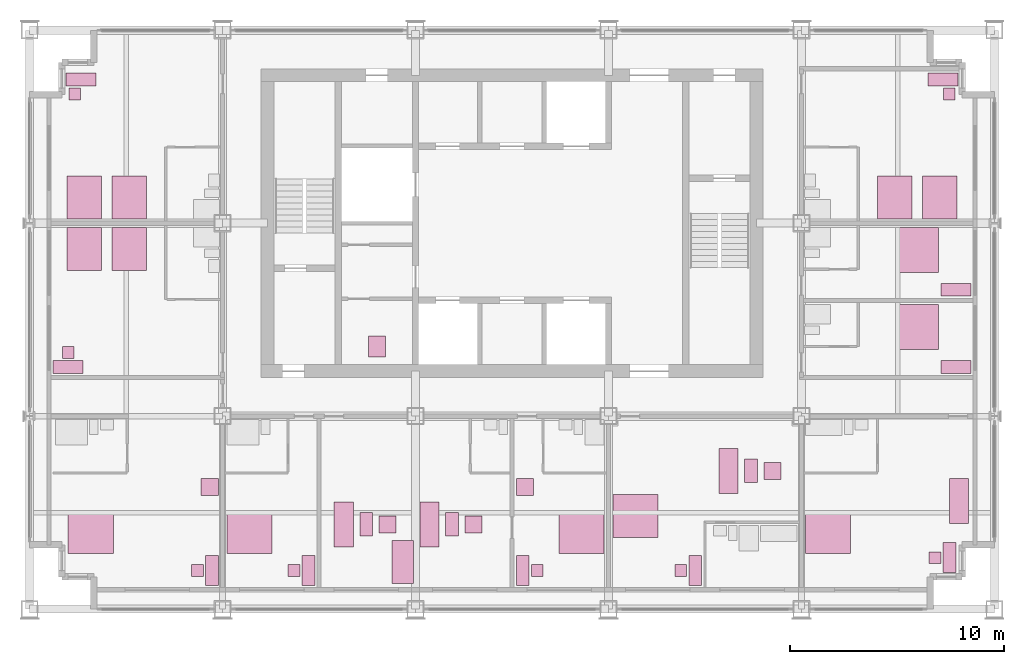
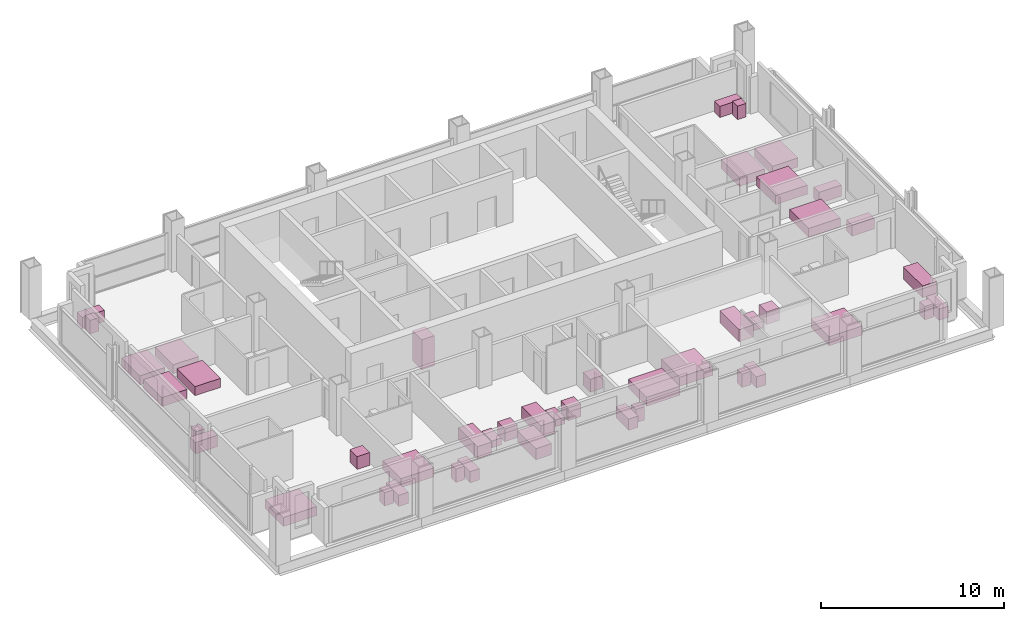
# One storey, part 13 of 13: 45 furniture elements.
"""IFC4 building model written with IfcOpenShell, lengths in metres."""

from ifc_helpers import new_model, si_unit, direction, frame, origin, origin_2d, place, context, subcontext, project, spatial, rectangle, extrude, element, save


model = new_model("IFC4")

# Units and contexts
model_context = context("Model", 3, precision=1e-05, world=origin(), true_north=direction((0.0, 1.0)))
body_context = subcontext(model_context, "Body", "Model", "MODEL_VIEW")
ifc_project = project(units=[si_unit("LENGTHUNIT", "METRE"), si_unit("AREAUNIT", "SQUARE_METRE"), si_unit("VOLUMEUNIT", "CUBIC_METRE"), si_unit("PLANEANGLEUNIT", "RADIAN"), si_unit("MASSUNIT", "GRAM", prefix="KILO")], contexts=[model_context])

# Site, building, storey
site_placement = place(None, origin())
site = spatial("IfcSite", under=ifc_project, at=site_placement, CompositionType="ELEMENT")
building_placement = place(site_placement, origin())
building = spatial("IfcBuilding", under=site, at=building_placement, Name="Loomwork Tower", CompositionType="ELEMENT")
storey_placement = place(building_placement, frame((0.0, 0.0, 194.39990234375)))
storey = spatial("IfcBuildingStorey", under=building, at=storey_placement, Name="L53", CompositionType="ELEMENT", Elevation=194.39990234375)

# Furniture
furniture_1_placement = place(storey_placement, frame((2.85009765625, 3.60009765625, 0.0), z_axis=(0.0, 0.0, 1.0), x_axis=(1.0, 0.0, 0.0)))
element("IfcFurniture", 1, at=furniture_1_placement, inside=storey, Name="King bed L53", PredefinedType="BED", context=body_context, shape_type="SweptSolid", body=[
    extrude(rectangle(XDim=2.10009765625, YDim=2.0, at=origin_2d()), origin(), (0.0, 0.0, 1.0), 0.60009765625),
])
furniture_2_placement = place(storey_placement, frame((8.5, 1.800048828125, 0.0), z_axis=(0.0, 0.0, 1.0), x_axis=(1.0, 0.0, 0.0)))
element("IfcFurniture", 2, at=furniture_2_placement, inside=storey, Name="Writing desk L53", PredefinedType="DESK", context=body_context, shape_type="SweptSolid", body=[
    extrude(rectangle(XDim=0.60009765625, YDim=1.39990234375, at=origin_2d()), origin(), (0.0, 0.0, 1.0), 0.75),
])
furniture_3_placement = place(storey_placement, frame((7.824951171875, 1.800048828125, 0.000244140625), z_axis=(0.0, 0.0, 1.0), x_axis=(1.0, 0.0, 0.0)))
element("IfcFurniture", 3, at=furniture_3_placement, inside=storey, Name="Desk chair L53", PredefinedType="CHAIR", context=body_context, shape_type="SweptSolid", body=[
    extrude(rectangle(XDim=0.550048828125, YDim=0.550048828125, at=origin_2d()), origin(), (0.0, 0.0, 1.0), 0.89990234375),
])
furniture_4_placement = place(storey_placement, frame((8.39990234375, 5.699951171875, 0.0), z_axis=(0.0, 0.0, 1.0), x_axis=(1.0, 0.0, 0.0)))
element("IfcFurniture", 4, at=furniture_4_placement, inside=storey, Name="Lounge armchair L53", PredefinedType="CHAIR", context=body_context, shape_type="SweptSolid", body=[
    extrude(rectangle(XDim=0.800048828125, YDim=0.800048828125, at=origin_2d()), origin(), (0.0, 0.0, 1.0), 0.85009765625),
])
furniture_5_placement = place(storey_placement, frame((10.25, 3.60009765625, 0.0), z_axis=(0.0, 0.0, 1.0), x_axis=(1.0, 0.0, 0.0)))
element("IfcFurniture", 5, at=furniture_5_placement, inside=storey, Name="King bed L53", PredefinedType="BED", context=body_context, shape_type="SweptSolid", body=[
    extrude(rectangle(XDim=2.10009765625, YDim=2.0, at=origin_2d()), origin(), (0.0, 0.0, 1.0), 0.60009765625),
])
furniture_6_placement = place(storey_placement, frame((13.0, 1.800048828125, 0.0), z_axis=(0.0, 0.0, 1.0), x_axis=(1.0, 0.0, 0.0)))
element("IfcFurniture", 6, at=furniture_6_placement, inside=storey, Name="Writing desk L53", PredefinedType="DESK", context=body_context, shape_type="SweptSolid", body=[
    extrude(rectangle(XDim=0.60009765625, YDim=1.39990234375, at=origin_2d()), origin(), (0.0, 0.0, 1.0), 0.75),
])
furniture_7_placement = place(storey_placement, frame((12.324951171875, 1.800048828125, 0.000244140625), z_axis=(0.0, 0.0, 1.0), x_axis=(1.0, 0.0, 0.0)))
element("IfcFurniture", 7, at=furniture_7_placement, inside=storey, Name="Desk chair L53", PredefinedType="CHAIR", context=body_context, shape_type="SweptSolid", body=[
    extrude(rectangle(XDim=0.550048828125, YDim=0.550048828125, at=origin_2d()), origin(), (0.0, 0.0, 1.0), 0.89990234375),
])
furniture_8_placement = place(storey_placement, frame((14.64990234375, 3.949951171875, 0.0), z_axis=(0.0, 0.0, 1.0), x_axis=(1.0, 0.0, 0.0)))
element("IfcFurniture", 8, at=furniture_8_placement, inside=storey, Name="Sofa L53", PredefinedType="SOFA", context=body_context, shape_type="SweptSolid", body=[
    extrude(rectangle(XDim=0.89990234375, YDim=2.10009765625, at=origin_2d()), origin(), (0.0, 0.0, 1.0), 0.800048828125),
])
furniture_9_placement = place(storey_placement, frame((15.699951171875, 3.949951171875, 0.0), z_axis=(0.0, 0.0, 1.0), x_axis=(1.0, 0.0, 0.0)))
element("IfcFurniture", 9, at=furniture_9_placement, inside=storey, Name="Coffee table L53", PredefinedType="TABLE", context=body_context, shape_type="SweptSolid", body=[
    extrude(rectangle(XDim=0.60009765625, YDim=1.10009765625, at=origin_2d()), origin(), (0.0, 0.0, 1.0), 0.449951171875),
])
furniture_10_placement = place(storey_placement, frame((16.699951171875, 3.949951171875, 0.0), z_axis=(0.0, 0.0, 1.0), x_axis=(1.0, 0.0, 0.0)))
element("IfcFurniture", 10, at=furniture_10_placement, inside=storey, Name="Lounge armchair L53", PredefinedType="CHAIR", context=body_context, shape_type="SweptSolid", body=[
    extrude(rectangle(XDim=0.800048828125, YDim=0.800048828125, at=origin_2d()), origin(), (0.0, 0.0, 1.0), 0.85009765625),
])
furniture_11_placement = place(storey_placement, frame((18.64990234375, 3.949951171875, 0.0), z_axis=(0.0, 0.0, 1.0), x_axis=(1.0, 0.0, 0.0)))
element("IfcFurniture", 11, at=furniture_11_placement, inside=storey, Name="Sofa L53", PredefinedType="SOFA", context=body_context, shape_type="SweptSolid", body=[
    extrude(rectangle(XDim=0.89990234375, YDim=2.10009765625, at=origin_2d()), origin(), (0.0, 0.0, 1.0), 0.800048828125),
])
furniture_12_placement = place(storey_placement, frame((19.699951171875, 3.949951171875, 0.0), z_axis=(0.0, 0.0, 1.0), x_axis=(1.0, 0.0, 0.0)))
element("IfcFurniture", 12, at=furniture_12_placement, inside=storey, Name="Coffee table L53", PredefinedType="TABLE", context=body_context, shape_type="SweptSolid", body=[
    extrude(rectangle(XDim=0.60009765625, YDim=1.10009765625, at=origin_2d()), origin(), (0.0, 0.0, 1.0), 0.449951171875),
])
furniture_13_placement = place(storey_placement, frame((20.699951171875, 3.949951171875, 0.0), z_axis=(0.0, 0.0, 1.0), x_axis=(1.0, 0.0, 0.0)))
element("IfcFurniture", 13, at=furniture_13_placement, inside=storey, Name="Lounge armchair L53", PredefinedType="CHAIR", context=body_context, shape_type="SweptSolid", body=[
    extrude(rectangle(XDim=0.800048828125, YDim=0.800048828125, at=origin_2d()), origin(), (0.0, 0.0, 1.0), 0.85009765625),
])
furniture_14_placement = place(storey_placement, frame((17.39990234375, 2.199951171875, 0.0), z_axis=(0.0, 0.0, 1.0), x_axis=(1.0, 0.0, 0.0)))
element("IfcFurniture", 14, at=furniture_14_placement, inside=storey, Name="Dining table L53", PredefinedType="TABLE", context=body_context, shape_type="SweptSolid", body=[
    extrude(rectangle(XDim=1.0, YDim=2.0, at=origin_2d()), origin(), (0.0, 0.0, 1.0), 0.75),
])
furniture_15_placement = place(storey_placement, frame((25.75, 3.60009765625, 0.0), z_axis=(0.0, 0.0, 1.0), x_axis=(1.0, 0.0, 0.0)))
element("IfcFurniture", 15, at=furniture_15_placement, inside=storey, Name="King bed L53", PredefinedType="BED", context=body_context, shape_type="SweptSolid", body=[
    extrude(rectangle(XDim=2.10009765625, YDim=2.0, at=origin_2d()), origin(), (0.0, 0.0, 1.0), 0.60009765625),
])
furniture_16_placement = place(storey_placement, frame((23.0, 1.800048828125, 0.0), z_axis=(0.0, 0.0, 1.0), x_axis=(1.0, 0.0, 0.0)))
element("IfcFurniture", 16, at=furniture_16_placement, inside=storey, Name="Writing desk L53", PredefinedType="DESK", context=body_context, shape_type="SweptSolid", body=[
    extrude(rectangle(XDim=0.60009765625, YDim=1.39990234375, at=origin_2d()), origin(), (0.0, 0.0, 1.0), 0.75),
])
furniture_17_placement = place(storey_placement, frame((23.675048828125, 1.800048828125, 0.000244140625), z_axis=(0.0, 0.0, 1.0), x_axis=(1.0, 0.0, 0.0)))
element("IfcFurniture", 17, at=furniture_17_placement, inside=storey, Name="Desk chair L53", PredefinedType="CHAIR", context=body_context, shape_type="SweptSolid", body=[
    extrude(rectangle(XDim=0.550048828125, YDim=0.550048828125, at=origin_2d()), origin(), (0.0, 0.0, 1.0), 0.89990234375),
])
furniture_18_placement = place(storey_placement, frame((23.10009765625, 5.699951171875, 0.0), z_axis=(0.0, 0.0, 1.0), x_axis=(1.0, 0.0, 0.0)))
element("IfcFurniture", 18, at=furniture_18_placement, inside=storey, Name="Lounge armchair L53", PredefinedType="CHAIR", context=body_context, shape_type="SweptSolid", body=[
    extrude(rectangle(XDim=0.800048828125, YDim=0.800048828125, at=origin_2d()), origin(), (0.0, 0.0, 1.0), 0.85009765625),
])
furniture_19_placement = place(storey_placement, frame((28.25, 4.35009765625, 0.0), z_axis=(0.0, 0.0, 1.0), x_axis=(1.0, 0.0, 0.0)))
element("IfcFurniture", 19, at=furniture_19_placement, inside=storey, Name="King bed L53", PredefinedType="BED", context=body_context, shape_type="SweptSolid", body=[
    extrude(rectangle(XDim=2.10009765625, YDim=2.0, at=origin_2d()), origin(), (0.0, 0.0, 1.0), 0.60009765625),
])
furniture_20_placement = place(storey_placement, frame((31.050048828125, 1.800048828125, 0.0), z_axis=(0.0, 0.0, 1.0), x_axis=(1.0, 0.0, 0.0)))
element("IfcFurniture", 20, at=furniture_20_placement, inside=storey, Name="Writing desk L53", PredefinedType="DESK", context=body_context, shape_type="SweptSolid", body=[
    extrude(rectangle(XDim=0.60009765625, YDim=1.39990234375, at=origin_2d()), origin(), (0.0, 0.0, 1.0), 0.75),
])
furniture_21_placement = place(storey_placement, frame((30.375, 1.800048828125, 0.000244140625), z_axis=(0.0, 0.0, 1.0), x_axis=(1.0, 0.0, 0.0)))
element("IfcFurniture", 21, at=furniture_21_placement, inside=storey, Name="Desk chair L53", PredefinedType="CHAIR", context=body_context, shape_type="SweptSolid", body=[
    extrude(rectangle(XDim=0.550048828125, YDim=0.550048828125, at=origin_2d()), origin(), (0.0, 0.0, 1.0), 0.89990234375),
])
furniture_22_placement = place(storey_placement, frame((32.60009765625, 6.449951171875, 0.0), z_axis=(0.0, 0.0, 1.0), x_axis=(1.0, 0.0, 0.0)))
element("IfcFurniture", 22, at=furniture_22_placement, inside=storey, Name="Sofa L53", PredefinedType="SOFA", context=body_context, shape_type="SweptSolid", body=[
    extrude(rectangle(XDim=0.89990234375, YDim=2.10009765625, at=origin_2d()), origin(), (0.0, 0.0, 1.0), 0.800048828125),
])
furniture_23_placement = place(storey_placement, frame((33.64990234375, 6.449951171875, 0.0), z_axis=(0.0, 0.0, 1.0), x_axis=(1.0, 0.0, 0.0)))
element("IfcFurniture", 23, at=furniture_23_placement, inside=storey, Name="Coffee table L53", PredefinedType="TABLE", context=body_context, shape_type="SweptSolid", body=[
    extrude(rectangle(XDim=0.60009765625, YDim=1.10009765625, at=origin_2d()), origin(), (0.0, 0.0, 1.0), 0.449951171875),
])
furniture_24_placement = place(storey_placement, frame((34.64990234375, 6.449951171875, 0.0), z_axis=(0.0, 0.0, 1.0), x_axis=(1.0, 0.0, 0.0)))
element("IfcFurniture", 24, at=furniture_24_placement, inside=storey, Name="Lounge armchair L53", PredefinedType="CHAIR", context=body_context, shape_type="SweptSolid", body=[
    extrude(rectangle(XDim=0.800048828125, YDim=0.800048828125, at=origin_2d()), origin(), (0.0, 0.0, 1.0), 0.85009765625),
])
furniture_25_placement = place(storey_placement, frame((37.25, 3.60009765625, 0.0), z_axis=(0.0, 0.0, 1.0), x_axis=(1.0, 0.0, 0.0)))
element("IfcFurniture", 25, at=furniture_25_placement, inside=storey, Name="King bed L53", PredefinedType="BED", context=body_context, shape_type="SweptSolid", body=[
    extrude(rectangle(XDim=2.10009765625, YDim=2.0, at=origin_2d()), origin(), (0.0, 0.0, 1.0), 0.60009765625),
])
furniture_26_placement = place(storey_placement, frame((42.89990234375, 2.39990234375, 0.0), z_axis=(0.0, 0.0, 1.0), x_axis=(1.0, 0.0, 0.0)))
element("IfcFurniture", 26, at=furniture_26_placement, inside=storey, Name="Writing desk L53", PredefinedType="DESK", context=body_context, shape_type="SweptSolid", body=[
    extrude(rectangle(XDim=0.60009765625, YDim=1.39990234375, at=origin_2d()), origin(), (0.0, 0.0, 1.0), 0.75),
])
furniture_27_placement = place(storey_placement, frame((42.22509765625, 2.39990234375, 0.000244140625), z_axis=(0.0, 0.0, 1.0), x_axis=(1.0, 0.0, 0.0)))
element("IfcFurniture", 27, at=furniture_27_placement, inside=storey, Name="Desk chair L53", PredefinedType="CHAIR", context=body_context, shape_type="SweptSolid", body=[
    extrude(rectangle(XDim=0.550048828125, YDim=0.550048828125, at=origin_2d()), origin(), (0.0, 0.0, 1.0), 0.89990234375),
])
furniture_28_placement = place(storey_placement, frame((43.35009765625, 5.050048828125, 0.0), z_axis=(0.0, 0.0, 1.0), x_axis=(1.0, 0.0, 0.0)))
element("IfcFurniture", 28, at=furniture_28_placement, inside=storey, Name="Sofa L53", PredefinedType="SOFA", context=body_context, shape_type="SweptSolid", body=[
    extrude(rectangle(XDim=0.89990234375, YDim=2.10009765625, at=origin_2d()), origin(), (0.0, 0.0, 1.0), 0.800048828125),
])
for number, where, z_axis, x_axis, name in (
    (29, (4.64990234375, 16.800048828125, 0.0), (0.0, 0.0, 1.0), (1.0, 0.0, 0.0), "Queen bed L53"),
    (30, (2.550048828125, 16.800048828125, 0.0), (0.0, 0.0, 1.0), (1.0, 0.0, 0.0), "Queen bed L53"),
):
    element("IfcFurniture", number, at=place(storey_placement, frame(where, z_axis=z_axis, x_axis=x_axis)), inside=storey, Name=name, PredefinedType="BED", context=body_context, shape_type="SweptSolid", body=[
        extrude(rectangle(XDim=1.60009765625, YDim=2.0, at=origin_2d()), origin(), (0.0, 0.0, 1.0), 0.60009765625),
    ])
furniture_29_placement = place(storey_placement, frame((1.800048828125, 11.300048828125, 0.0), z_axis=(0.0, 0.0, 1.0), x_axis=(1.0, 0.0, 0.0)))
element("IfcFurniture", 31, at=furniture_29_placement, inside=storey, Name="Writing desk L53", PredefinedType="DESK", context=body_context, shape_type="SweptSolid", body=[
    extrude(rectangle(XDim=1.39990234375, YDim=0.60009765625, at=origin_2d()), origin(), (0.0, 0.0, 1.0), 0.75),
])
furniture_30_placement = place(storey_placement, frame((1.800048828125, 11.97509765625, 0.000244140625), z_axis=(0.0, 0.0, 1.0), x_axis=(1.0, 0.0, 0.0)))
element("IfcFurniture", 32, at=furniture_30_placement, inside=storey, Name="Desk chair L53", PredefinedType="CHAIR", context=body_context, shape_type="SweptSolid", body=[
    extrude(rectangle(XDim=0.550048828125, YDim=0.550048828125, at=origin_2d()), origin(), (0.0, 0.0, 1.0), 0.89990234375),
])
for number, where, z_axis, x_axis, name in (
    (33, (4.64990234375, 19.199951171875, 0.0), (0.0, 0.0, 1.0), (1.0, 0.0, 0.0), "Queen bed L53"),
    (34, (2.550048828125, 19.199951171875, 0.0), (0.0, 0.0, 1.0), (1.0, 0.0, 0.0), "Queen bed L53"),
):
    element("IfcFurniture", number, at=place(storey_placement, frame(where, z_axis=z_axis, x_axis=x_axis)), inside=storey, Name=name, PredefinedType="BED", context=body_context, shape_type="SweptSolid", body=[
        extrude(rectangle(XDim=1.60009765625, YDim=2.0, at=origin_2d()), origin(), (0.0, 0.0, 1.0), 0.60009765625),
    ])
furniture_31_placement = place(storey_placement, frame((2.39990234375, 24.699951171875, 0.0), z_axis=(0.0, 0.0, 1.0), x_axis=(1.0, 0.0, 0.0)))
element("IfcFurniture", 35, at=furniture_31_placement, inside=storey, Name="Writing desk L53", PredefinedType="DESK", context=body_context, shape_type="SweptSolid", body=[
    extrude(rectangle(XDim=1.39990234375, YDim=0.60009765625, at=origin_2d()), origin(), (0.0, 0.0, 1.0), 0.75),
])
furniture_32_placement = place(storey_placement, frame((2.10009765625, 24.02490234375, 0.000244140625), z_axis=(0.0, 0.0, 1.0), x_axis=(1.0, 0.0, 0.0)))
element("IfcFurniture", 36, at=furniture_32_placement, inside=storey, Name="Desk chair L53", PredefinedType="CHAIR", context=body_context, shape_type="SweptSolid", body=[
    extrude(rectangle(XDim=0.550048828125, YDim=0.550048828125, at=origin_2d()), origin(), (0.0, 0.0, 1.0), 0.89990234375),
])
furniture_33_placement = place(storey_placement, frame((41.39990234375, 13.14990234375, 0.0), z_axis=(0.0, 0.0, 1.0), x_axis=(1.0, 0.0, 0.0)))
element("IfcFurniture", 37, at=furniture_33_placement, inside=storey, Name="King bed L53", PredefinedType="BED", context=body_context, shape_type="SweptSolid", body=[
    extrude(rectangle(XDim=2.0, YDim=2.10009765625, at=origin_2d()), origin(), (0.0, 0.0, 1.0), 0.60009765625),
])
furniture_34_placement = place(storey_placement, frame((43.199951171875, 11.300048828125, 0.0), z_axis=(0.0, 0.0, 1.0), x_axis=(1.0, 0.0, 0.0)))
element("IfcFurniture", 38, at=furniture_34_placement, inside=storey, Name="Writing desk L53", PredefinedType="DESK", context=body_context, shape_type="SweptSolid", body=[
    extrude(rectangle(XDim=1.39990234375, YDim=0.60009765625, at=origin_2d()), origin(), (0.0, 0.0, 1.0), 0.75),
])
furniture_35_placement = place(storey_placement, frame((41.39990234375, 16.75, 0.0), z_axis=(0.0, 0.0, 1.0), x_axis=(1.0, 0.0, 0.0)))
element("IfcFurniture", 39, at=furniture_35_placement, inside=storey, Name="King bed L53", PredefinedType="BED", context=body_context, shape_type="SweptSolid", body=[
    extrude(rectangle(XDim=2.0, YDim=2.10009765625, at=origin_2d()), origin(), (0.0, 0.0, 1.0), 0.60009765625),
])
furniture_36_placement = place(storey_placement, frame((43.199951171875, 14.89990234375, 0.0), z_axis=(0.0, 0.0, 1.0), x_axis=(1.0, 0.0, 0.0)))
element("IfcFurniture", 40, at=furniture_36_placement, inside=storey, Name="Writing desk L53", PredefinedType="DESK", context=body_context, shape_type="SweptSolid", body=[
    extrude(rectangle(XDim=1.39990234375, YDim=0.60009765625, at=origin_2d()), origin(), (0.0, 0.0, 1.0), 0.75),
])
for number, where, z_axis, x_axis, name in (
    (41, (40.35009765625, 19.199951171875, 0.0), (0.0, 0.0, 1.0), (1.0, 0.0, 0.0), "Queen bed L53"),
    (42, (42.449951171875, 19.199951171875, 0.0), (0.0, 0.0, 1.0), (1.0, 0.0, 0.0), "Queen bed L53"),
):
    element("IfcFurniture", number, at=place(storey_placement, frame(where, z_axis=z_axis, x_axis=x_axis)), inside=storey, Name=name, PredefinedType="BED", context=body_context, shape_type="SweptSolid", body=[
        extrude(rectangle(XDim=1.60009765625, YDim=2.0, at=origin_2d()), origin(), (0.0, 0.0, 1.0), 0.60009765625),
    ])
furniture_37_placement = place(storey_placement, frame((42.60009765625, 24.699951171875, 0.0), z_axis=(0.0, 0.0, 1.0), x_axis=(1.0, 0.0, 0.0)))
element("IfcFurniture", 43, at=furniture_37_placement, inside=storey, Name="Writing desk L53", PredefinedType="DESK", context=body_context, shape_type="SweptSolid", body=[
    extrude(rectangle(XDim=1.39990234375, YDim=0.60009765625, at=origin_2d()), origin(), (0.0, 0.0, 1.0), 0.75),
])
furniture_38_placement = place(storey_placement, frame((42.89990234375, 24.02490234375, 0.000244140625), z_axis=(0.0, 0.0, 1.0), x_axis=(1.0, 0.0, 0.0)))
element("IfcFurniture", 44, at=furniture_38_placement, inside=storey, Name="Desk chair L53", PredefinedType="CHAIR", context=body_context, shape_type="SweptSolid", body=[
    extrude(rectangle(XDim=0.550048828125, YDim=0.550048828125, at=origin_2d()), origin(), (0.0, 0.0, 1.0), 0.89990234375),
])
furniture_39_placement = place(storey_placement, frame((16.199951171875, 12.25, 0.0), z_axis=(0.0, 0.0, 1.0), x_axis=(1.0, 0.0, 0.0)))
element("IfcFurniture", 45, at=furniture_39_placement, inside=storey, Name="Data cabinet L53", ObjectType="DATA CABINET", PredefinedType="USERDEFINED", context=body_context, shape_type="SweptSolid", body=[
    extrude(rectangle(XDim=0.800048828125, YDim=1.0, at=origin_2d()), origin(), (0.0, 0.0, 1.0), 2.0),
])

save(model, "model.ifc")
